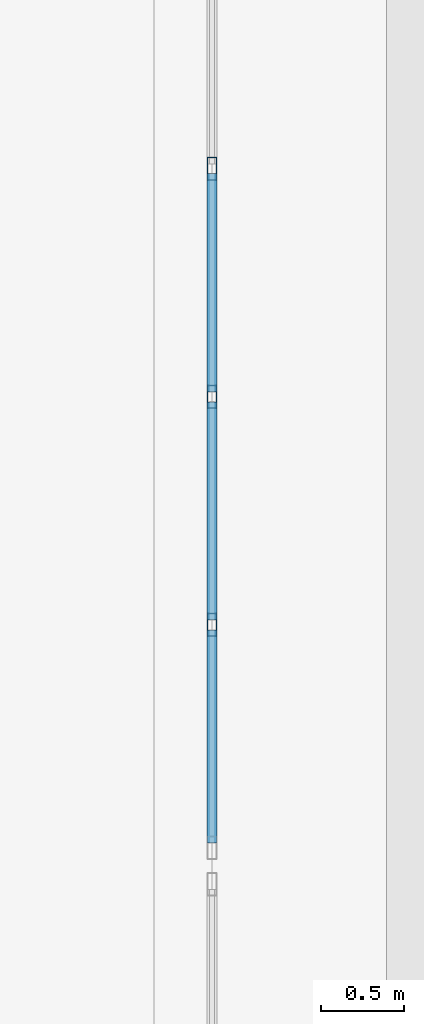
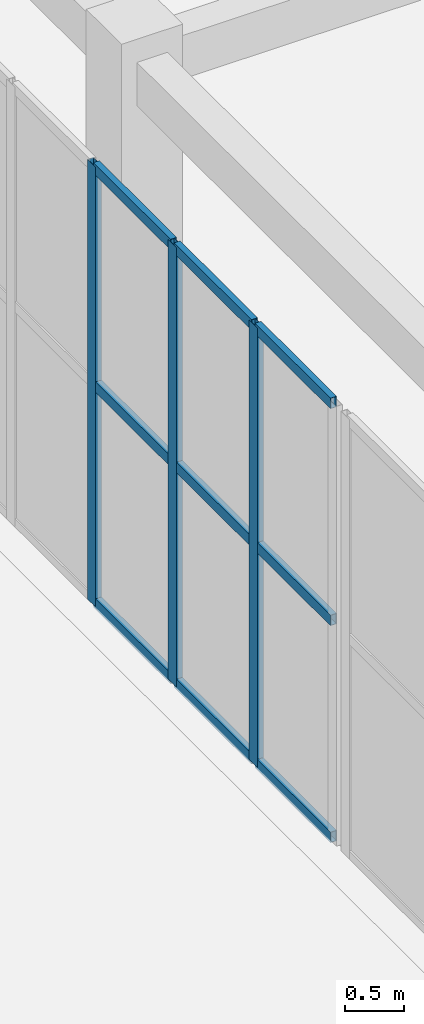
# One storey, part 56 of 158: 12 members, 1 element without a shape of its own.
"""IFC4 building model written with IfcOpenShell, lengths in metres."""

from ifc_helpers import new_model, si_unit, direction, frame, origin, origin_2d, place, context, subcontext, project, spatial, hollow_rectangle, extrude, material, layer, layer_set, material_profile, profile_set, type_object, element, aggregate, save


model = new_model("IFC4")

# Units and contexts
model_context = context("Model", 3, precision=1e-05, world=origin(), true_north=direction((0.0, 1.0)))
body_context = subcontext(model_context, "Body", "Model", "MODEL_VIEW")
ifc_project = project(units=[si_unit("LENGTHUNIT", "METRE"), si_unit("AREAUNIT", "SQUARE_METRE"), si_unit("VOLUMEUNIT", "CUBIC_METRE"), si_unit("PLANEANGLEUNIT", "RADIAN"), si_unit("MASSUNIT", "GRAM", prefix="KILO")], contexts=[model_context])

# Site, building, storey
site_placement = place(None, origin())
site = spatial("IfcSite", under=ifc_project, at=site_placement, CompositionType="ELEMENT")
building_placement = place(site_placement, origin())
building = spatial("IfcBuilding", under=site, at=building_placement, Name="Trelvath General Hospital", CompositionType="ELEMENT")
storey_placement = place(building_placement, frame((0.0, 0.0, 8.10009765625)))
storey = spatial("IfcBuildingStorey", under=building, at=storey_placement, Name="L02", CompositionType="ELEMENT", Elevation=8.10009765625)

# Curtain wall, members
ifc_material_1 = material(Name="Anodised aluminium and low-E glass", Category="aluminium")
ifc_layer = layer(ifc_material_1, 0.139892578125)
ifc_layer_set = layer_set([ifc_layer], Name="Anodised aluminium and low-E glass")
curtain_wall_type = type_object("IfcCurtainWallType", Name="CW CrystalCube 824 456 14", PredefinedType="USERDEFINED", material=ifc_layer_set)
curtain_wall_placement = place(storey_placement, origin())
curtain_wall = element("IfcCurtainWall", 1, at=curtain_wall_placement, inside=storey, type_object=curtain_wall_type, Name="Crystal Cube Curtain Wall CUBE-W-T1 W6 L02", ObjectType="Unitised Glazed Curtain Wall", PredefinedType="USERDEFINED")
ifc_material_2 = material(Name="Anodised aluminium", Category="aluminium")
ifc_material_profile_1 = material_profile(ifc_material_2, hollow_rectangle(XDim=0.06005859375, YDim=0.139892578125, WallThickness=0.00390625, at=origin_2d()), Name="RHS60x140x4")
ifc_profile_set_1 = profile_set([ifc_material_profile_1], Name="Anodised aluminium")
member_type_1 = type_object("IfcMemberType", Name="CurtainMullion 60x140", PredefinedType="MULLION", material=ifc_profile_set_1)
member_1_placement = place(storey_placement, frame((53.199951171875, 68.6533203125, 0.0), z_axis=(0.0, 0.0, 1.0), x_axis=(-1.0, 0.0, 0.0)))
member_1 = element("IfcMember", 2, at=member_1_placement, type_object=member_type_1, Name="CW-201 mullion 2", PredefinedType="MULLION", context=body_context, shape_type="SweptSolid", body=[
    extrude(hollow_rectangle(XDim=0.06005859375, YDim=0.139892578125, WallThickness=0.00390625, at=origin_2d()), origin(), (0.0, 0.0, 1.0), 4.559814453125),
])
member_2_placement = place(storey_placement, frame((53.199951171875, 70.026611328125, 0.0), z_axis=(0.0, 0.0, 1.0), x_axis=(-1.0, 0.0, 0.0)))
member_2 = element("IfcMember", 3, at=member_2_placement, type_object=member_type_1, Name="CW-201 mullion 3", PredefinedType="MULLION", context=body_context, shape_type="SweptSolid", body=[
    extrude(hollow_rectangle(XDim=0.06005859375, YDim=0.139892578125, WallThickness=0.00390625, at=origin_2d()), origin(), (0.0, 0.0, 1.0), 4.559814453125),
])
member_3_placement = place(storey_placement, frame((53.199951171875, 71.39990234375, 0.0), z_axis=(0.0, 0.0, 1.0), x_axis=(-1.0, 0.0, 0.0)))
member_3 = element("IfcMember", 4, at=member_3_placement, type_object=member_type_1, Name="CW-201 mullion 4", PredefinedType="MULLION", context=body_context, shape_type="SweptSolid", body=[
    extrude(hollow_rectangle(XDim=0.06005859375, YDim=0.139892578125, WallThickness=0.00390625, at=origin_2d()), origin(), (0.0, 0.0, 1.0), 4.559814453125),
])
ifc_material_3 = material(Name="Anodised aluminium", Category="aluminium")
ifc_material_profile_2 = material_profile(ifc_material_3, hollow_rectangle(XDim=0.06005859375, YDim=0.110107421875, WallThickness=0.00390625, at=origin_2d()), Name="RHS60x110x4")
ifc_profile_set_2 = profile_set([ifc_material_profile_2], Name="Anodised aluminium")
member_type_2 = type_object("IfcMemberType", Name="CurtainTransom 60x110", PredefinedType="USERDEFINED", material=ifc_profile_set_2)
member_4_placement = place(storey_placement, frame((53.199951171875, 67.340087890625, 0.02978515625), z_axis=(0.0, 1.0, 0.0), x_axis=(-1.0, 0.0, 0.0)))
member_4 = element("IfcMember", 5, at=member_4_placement, type_object=member_type_2, Name="CW-201 transom 1.1", ObjectType="TRANSOM", PredefinedType="USERDEFINED", context=body_context, shape_type="SweptSolid", body=[
    extrude(hollow_rectangle(XDim=0.06005859375, YDim=0.110107421875, WallThickness=0.00390625, at=origin_2d()), origin(), (0.0, 0.0, 1.0), 1.283203125),
])
member_5_placement = place(storey_placement, frame((53.199951171875, 67.340087890625, 2.27978515625), z_axis=(0.0, 1.0, 0.0), x_axis=(-1.0, 0.0, 0.0)))
member_5 = element("IfcMember", 6, at=member_5_placement, type_object=member_type_2, Name="CW-201 transom 1.2", ObjectType="TRANSOM", PredefinedType="USERDEFINED", context=body_context, shape_type="SweptSolid", body=[
    extrude(hollow_rectangle(XDim=0.06005859375, YDim=0.110107421875, WallThickness=0.00390625, at=origin_2d()), origin(), (0.0, 0.0, 1.0), 1.283203125),
])
member_6_placement = place(storey_placement, frame((53.199951171875, 67.340087890625, 4.52978515625), z_axis=(0.0, 1.0, 0.0), x_axis=(-1.0, 0.0, 0.0)))
member_6 = element("IfcMember", 7, at=member_6_placement, type_object=member_type_2, Name="CW-201 transom 1.3", ObjectType="TRANSOM", PredefinedType="USERDEFINED", context=body_context, shape_type="SweptSolid", body=[
    extrude(hollow_rectangle(XDim=0.06005859375, YDim=0.110107421875, WallThickness=0.00390625, at=origin_2d()), origin(), (0.0, 0.0, 1.0), 1.283203125),
])
member_7_placement = place(storey_placement, frame((53.199951171875, 68.683349609375, 0.02978515625), z_axis=(0.0, 1.0, 0.0), x_axis=(-1.0, 0.0, 0.0)))
member_7 = element("IfcMember", 8, at=member_7_placement, type_object=member_type_2, Name="CW-201 transom 2.1", ObjectType="TRANSOM", PredefinedType="USERDEFINED", context=body_context, shape_type="SweptSolid", body=[
    extrude(hollow_rectangle(XDim=0.06005859375, YDim=0.110107421875, WallThickness=0.00390625, at=origin_2d()), origin(), (0.0, 0.0, 1.0), 1.313232421875),
])
member_8_placement = place(storey_placement, frame((53.199951171875, 68.683349609375, 2.27978515625), z_axis=(0.0, 1.0, 0.0), x_axis=(-1.0, 0.0, 0.0)))
member_8 = element("IfcMember", 9, at=member_8_placement, type_object=member_type_2, Name="CW-201 transom 2.2", ObjectType="TRANSOM", PredefinedType="USERDEFINED", context=body_context, shape_type="SweptSolid", body=[
    extrude(hollow_rectangle(XDim=0.06005859375, YDim=0.110107421875, WallThickness=0.00390625, at=origin_2d()), origin(), (0.0, 0.0, 1.0), 1.313232421875),
])
member_9_placement = place(storey_placement, frame((53.199951171875, 68.683349609375, 4.52978515625), z_axis=(0.0, 1.0, 0.0), x_axis=(-1.0, 0.0, 0.0)))
member_9 = element("IfcMember", 10, at=member_9_placement, type_object=member_type_2, Name="CW-201 transom 2.3", ObjectType="TRANSOM", PredefinedType="USERDEFINED", context=body_context, shape_type="SweptSolid", body=[
    extrude(hollow_rectangle(XDim=0.06005859375, YDim=0.110107421875, WallThickness=0.00390625, at=origin_2d()), origin(), (0.0, 0.0, 1.0), 1.313232421875),
])
member_10_placement = place(storey_placement, frame((53.199951171875, 70.056640625, 0.02978515625), z_axis=(0.0, 1.0, 0.0), x_axis=(-1.0, 0.0, 0.0)))
member_10 = element("IfcMember", 11, at=member_10_placement, type_object=member_type_2, Name="CW-201 transom 3.1", ObjectType="TRANSOM", PredefinedType="USERDEFINED", context=body_context, shape_type="SweptSolid", body=[
    extrude(hollow_rectangle(XDim=0.06005859375, YDim=0.110107421875, WallThickness=0.00390625, at=origin_2d()), origin(), (0.0, 0.0, 1.0), 1.3134765625),
])
member_11_placement = place(storey_placement, frame((53.199951171875, 70.056640625, 2.27978515625), z_axis=(0.0, 1.0, 0.0), x_axis=(-1.0, 0.0, 0.0)))
member_11 = element("IfcMember", 12, at=member_11_placement, type_object=member_type_2, Name="CW-201 transom 3.2", ObjectType="TRANSOM", PredefinedType="USERDEFINED", context=body_context, shape_type="SweptSolid", body=[
    extrude(hollow_rectangle(XDim=0.06005859375, YDim=0.110107421875, WallThickness=0.00390625, at=origin_2d()), origin(), (0.0, 0.0, 1.0), 1.3134765625),
])
member_12_placement = place(storey_placement, frame((53.199951171875, 70.056640625, 4.52978515625), z_axis=(0.0, 1.0, 0.0), x_axis=(-1.0, 0.0, 0.0)))
member_12 = element("IfcMember", 13, at=member_12_placement, type_object=member_type_2, Name="CW-201 transom 3.3", ObjectType="TRANSOM", PredefinedType="USERDEFINED", context=body_context, shape_type="SweptSolid", body=[
    extrude(hollow_rectangle(XDim=0.06005859375, YDim=0.110107421875, WallThickness=0.00390625, at=origin_2d()), origin(), (0.0, 0.0, 1.0), 1.3134765625),
])
aggregate(curtain_wall, [member_1, member_2, member_3, member_4, member_5, member_6, member_7, member_8, member_9, member_10, member_11, member_12])

save(model, "model.ifc")
